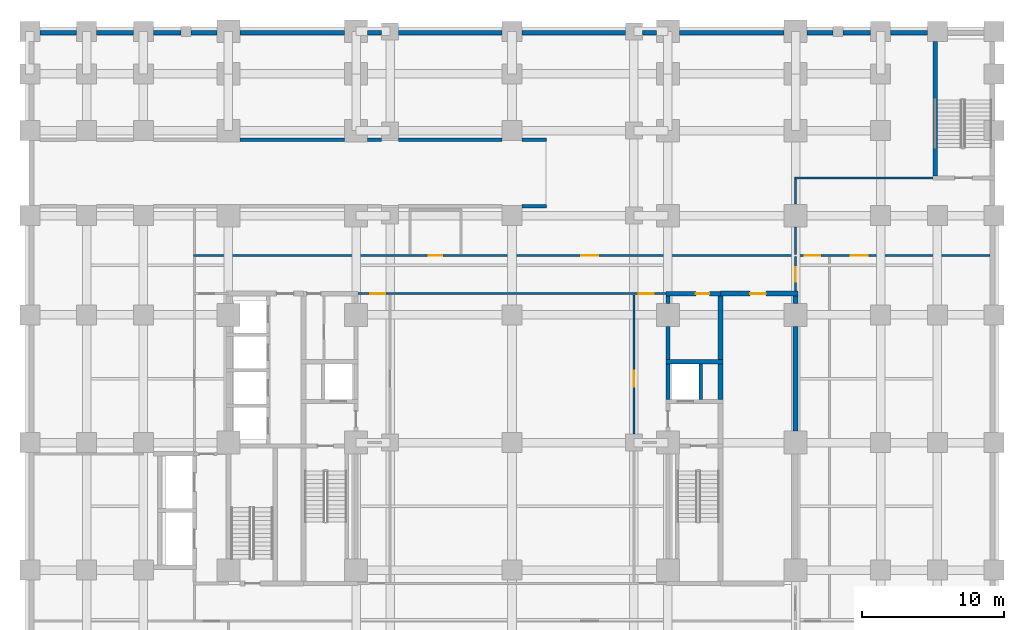
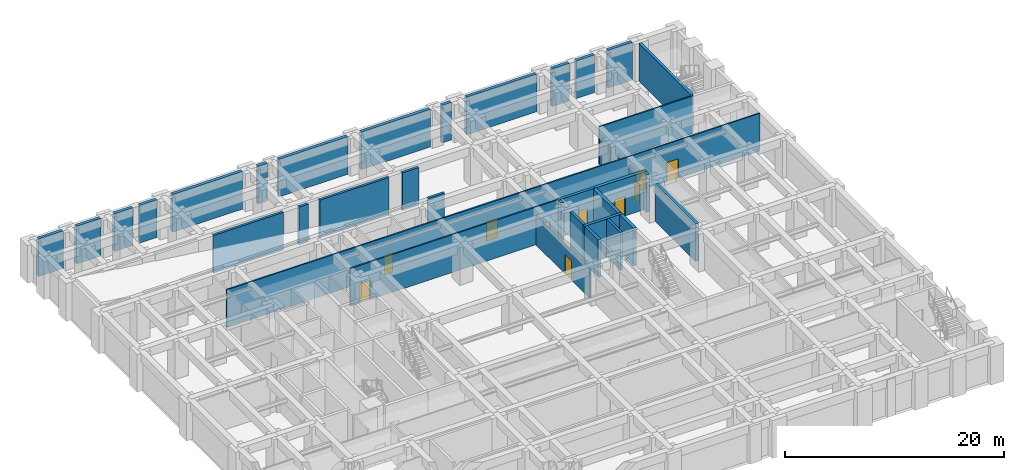
# One storey, part 7 of 14: 37 walls, 10 doors, 10 openings.
"""IFC4 building model written with IfcOpenShell, lengths in metres."""

from ifc_helpers import new_model, si_unit, direction, frame, frame_2d, origin, place, context, subcontext, project, spatial, rectangle, extrude, material, layer, layer_set, type_object, element, fill, save


model = new_model("IFC4")

# Units and contexts
model_context = context("Model", 3, precision=1e-05, world=origin(), true_north=direction((0.0, 1.0)))
body_context = subcontext(model_context, "Body", "Model", "MODEL_VIEW")
ifc_project = project(units=[si_unit("LENGTHUNIT", "METRE"), si_unit("AREAUNIT", "SQUARE_METRE"), si_unit("VOLUMEUNIT", "CUBIC_METRE"), si_unit("PLANEANGLEUNIT", "RADIAN"), si_unit("MASSUNIT", "GRAM", prefix="KILO")], contexts=[model_context])

# Site, building, storey
site_placement = place(None, origin())
site = spatial("IfcSite", under=ifc_project, at=site_placement, CompositionType="ELEMENT")
building_placement = place(site_placement, origin())
building = spatial("IfcBuilding", under=site, at=building_placement, Name="Zulmaris Gate Convention Tower", CompositionType="ELEMENT")
storey_placement = place(building_placement, frame((0.0, 0.0, -4.550048828125)))
storey = spatial("IfcBuildingStorey", under=building, at=storey_placement, Name="B1", CompositionType="ELEMENT", Elevation=-4.550048828125)

# Walls
ifc_material_1 = material(Name="Concrete C50/60", Category="concrete")
ifc_layer_1 = layer(ifc_material_1, 0.25, Name="Concrete C50/60")
ifc_layer_set_1 = layer_set([ifc_layer_1], Name="Concrete C50/60")
wall_type_1 = type_object("IfcWallType", Name="CORE-250", PredefinedType="SOLIDWALL", material=ifc_layer_set_1)
wall_1_placement = place(storey_placement, frame((0.7041015625, 16.64990234375, 0.0), z_axis=(0.0, 0.0, 1.0), x_axis=(1.0, 0.0, 0.0)))
element("IfcWall", 1, at=wall_1_placement, inside=storey, type_object=wall_type_1, Name="WL-B1-026S6", PredefinedType="SOLIDWALL", context=body_context, shape_type="SweptSolid", body=[
    extrude(rectangle(XDim=1.745849609375, YDim=0.25, at=frame_2d((0.873046875, 0.0))), origin(), (0.0, 0.0, 1.0), 4.199951171875),
])
wall_2_placement = place(storey_placement, frame((-19.196044921875, 21.35009765625, 0.0), z_axis=(0.0, 0.0, 1.0), x_axis=(1.0, 0.0, 0.0)))
element("IfcWall", 2, at=wall_2_placement, inside=storey, type_object=wall_type_1, Name="WL-B1-028S3", PredefinedType="SOLIDWALL", context=body_context, shape_type="SweptSolid", body=[
    extrude(rectangle(XDim=7.39208984375, YDim=0.25, at=frame_2d((3.696044921875, 0.0))), origin(), (0.0, 0.0, 1.0), 4.199951171875),
])
wall_3_placement = place(storey_placement, frame((-10.196044921875, 21.35009765625, 0.0), z_axis=(0.0, 0.0, 1.0), x_axis=(1.0, 0.0, 0.0)))
element("IfcWall", 3, at=wall_3_placement, inside=storey, type_object=wall_type_1, Name="WL-B1-028S4", PredefinedType="SOLIDWALL", context=body_context, shape_type="SweptSolid", body=[
    extrude(rectangle(XDim=0.991943359375, YDim=0.25, at=frame_2d((0.49609375, 0.0))), origin(), (0.0, 0.0, 1.0), 4.199951171875),
])
wall_4_placement = place(storey_placement, frame((-7.99609375, 21.35009765625, 0.0), z_axis=(0.0, 0.0, 1.0), x_axis=(1.0, 0.0, 0.0)))
element("IfcWall", 4, at=wall_4_placement, inside=storey, type_object=wall_type_1, Name="WL-B1-028S5", PredefinedType="SOLIDWALL", context=body_context, shape_type="SweptSolid", body=[
    extrude(rectangle(XDim=7.2919921875, YDim=0.25, at=frame_2d((3.64599609375, 0.0))), origin(), (0.0, 0.0, 1.0), 4.199951171875),
])
wall_5_placement = place(storey_placement, frame((0.7041015625, 21.35009765625, 0.0), z_axis=(0.0, 0.0, 1.0), x_axis=(1.0, 0.0, 0.0)))
element("IfcWall", 5, at=wall_5_placement, inside=storey, type_object=wall_type_1, Name="WL-B1-028S6", PredefinedType="SOLIDWALL", context=body_context, shape_type="SweptSolid", body=[
    extrude(rectangle(XDim=1.745849609375, YDim=0.25, at=frame_2d((0.873046875, 0.0))), origin(), (0.0, 0.0, 1.0), 4.199951171875),
])
wall_6_placement = place(storey_placement, frame((13.300048828125, 3.052001953125, 0.0), z_axis=(0.0, 0.0, 1.0), x_axis=(0.0, 1.0, 0.0)))
element("IfcWall", 6, at=wall_6_placement, inside=storey, type_object=wall_type_1, Name="WL-B1-079", PredefinedType="SOLIDWALL", context=body_context, shape_type="SweptSolid", body=[
    extrude(rectangle(XDim=2.49609375, YDim=0.25, at=frame_2d((1.248046875, 0.0))), origin(), (0.0, 0.0, 1.0), 4.199951171875),
])
ifc_layer_2 = layer(ifc_material_1, 0.300048828125, Name="Concrete C50/60")
ifc_layer_set_2 = layer_set([ifc_layer_2], Name="Concrete C50/60")
wall_type_2 = type_object("IfcWallType", Name="CORE-300", PredefinedType="SHEAR", material=ifc_layer_set_2)
wall_7_placement = place(storey_placement, frame((10.85009765625, 5.699951171875, 0.0), z_axis=(0.0, 0.0, 1.0), x_axis=(1.0, 0.0, 0.0)))
element("IfcWall", 7, at=wall_7_placement, inside=storey, type_object=wall_type_2, Name="WL-B1-020", PredefinedType="SHEAR", context=body_context, shape_type="SweptSolid", body=[
    extrude(rectangle(XDim=4.02490234375, YDim=0.300048828125, at=frame_2d((2.012451171875, 0.0))), origin(), (0.0, 0.0, 1.0), 4.199951171875),
])

# Wall, opening, door
wall_8_placement = place(storey_placement, frame((10.85009765625, 10.5, 0.0), z_axis=(0.0, 0.0, 1.0), x_axis=(1.0, 0.0, 0.0)))
wall_8 = element("IfcWall", 8, at=wall_8_placement, inside=storey, type_object=wall_type_2, Name="WL-B1-024", PredefinedType="SHEAR", context=body_context, shape_type="SweptSolid", body=[
    extrude(rectangle(XDim=3.849853515625, YDim=0.300048828125, at=frame_2d((1.9248046875, 0.0))), origin(), (0.0, 0.0, 1.0), 4.199951171875),
])
opening_1_placement = place(wall_8_placement, frame((2.125, 0.0, 0.0)))
opening_1 = element("IfcOpeningElement", 9, at=opening_1_placement, cuts=wall_8, Name="Opening D-11", PredefinedType="OPENING", context=body_context, shape_type="SweptSolid", body=[
    extrude(rectangle(XDim=0.949951171875, YDim=2.14990234375, at=frame_2d((0.47509765625, 1.074951171875))), frame((0.0, 0.16015625, 0.0), z_axis=(0.0, -1.0, 0.0), x_axis=(1.0, 0.0, 0.0)), (0.0, 0.0, 1.0), 0.320068359375),
])
ifc_material_2 = material(Name="Fire-Rated Timber", Category="wood")
door_type_1 = type_object("IfcDoorType", Name="DR-950-FD", OperationType="NOTDEFINED", PredefinedType="DOOR", material=ifc_material_2)
door_1_placement = place(opening_1_placement, origin())
door_1 = element("IfcDoor", 10, at=door_1_placement, inside=storey, type_object=door_type_1, Name="B1 Core Tea Pantry Door 09", OperationType="SINGLE_SWING_LEFT", OverallHeight=2.14990234375, OverallWidth=0.949951171875, PredefinedType="DOOR", context=body_context, shape_type="SweptSolid", body=[
    extrude(rectangle(XDim=0.949951171875, YDim=2.14990234375, at=frame_2d((0.47509765625, 1.074951171875))), frame((0.0, 0.02490234375, 0.0), z_axis=(0.0, -1.0, 0.0), x_axis=(1.0, 0.0, 0.0)), (0.0, 0.0, 1.0), 0.050048828125),
])
fill(opening_1, door_1)

# Walls
wall_9_placement = place(storey_placement, frame((11.0, 3.052001953125, 0.0), z_axis=(0.0, 0.0, 1.0), x_axis=(0.0, 1.0, 0.0)))
element("IfcWall", 11, at=wall_9_placement, inside=storey, type_object=wall_type_2, Name="WL-B1-076", PredefinedType="SHEAR", context=body_context, shape_type="SweptSolid", body=[
    extrude(rectangle(XDim=2.49609375, YDim=0.300048828125, at=frame_2d((1.248046875, 0.0))), origin(), (0.0, 0.0, 1.0), 4.199951171875),
])
wall_10_placement = place(storey_placement, frame((11.0, 5.85205078125, 0.0), z_axis=(0.0, 0.0, 1.0), x_axis=(0.0, 1.0, 0.0)))
element("IfcWall", 12, at=wall_10_placement, inside=storey, type_object=wall_type_2, Name="WL-B1-077", PredefinedType="SHEAR", context=body_context, shape_type="SweptSolid", body=[
    extrude(rectangle(XDim=2.343994140625, YDim=0.300048828125, at=frame_2d((1.171875, 0.0))), origin(), (0.0, 0.0, 1.0), 4.199951171875),
])
wall_11_placement = place(storey_placement, frame((11.0, 9.803955078125, 0.0), z_axis=(0.0, 0.0, 1.0), x_axis=(0.0, 1.0, 0.0)))
element("IfcWall", 13, at=wall_11_placement, inside=storey, type_object=wall_type_2, Name="WL-B1-077S1", PredefinedType="SHEAR", context=body_context, shape_type="SweptSolid", body=[
    extrude(rectangle(XDim=0.5439453125, YDim=0.300048828125, at=frame_2d((0.27197265625, 0.0))), origin(), (0.0, 0.0, 1.0), 4.199951171875),
])
wall_12_placement = place(storey_placement, frame((29.85009765625, 18.802001953125, 0.0), z_axis=(0.0, 0.0, 1.0), x_axis=(0.0, 1.0, 0.0)))
element("IfcWall", 14, at=wall_12_placement, inside=storey, type_object=wall_type_2, Name="WL-B1-086", PredefinedType="SHEAR", context=body_context, shape_type="SweptSolid", body=[
    extrude(rectangle(XDim=9.493896484375, YDim=0.300048828125, at=frame_2d((4.7470703125, 0.0))), origin(), (0.0, 0.0, 1.0), 4.199951171875),
])

# Wall, opening, door
ifc_material_3 = material(Name="Concrete C55/67", Category="concrete")
ifc_layer_3 = layer(ifc_material_3, 0.35009765625, Name="Concrete C55/67")
ifc_layer_set_3 = layer_set([ifc_layer_3], Name="Concrete C55/67")
wall_type_3 = type_object("IfcWallType", Name="CORE-350", PredefinedType="SHEAR", material=ifc_layer_set_3)
wall_13_placement = place(storey_placement, frame((14.699951171875, 10.5, 0.0), z_axis=(0.0, 0.0, 1.0), x_axis=(1.0, 0.0, 0.0)))
wall_13 = element("IfcWall", 15, at=wall_13_placement, inside=storey, type_object=wall_type_3, Name="WL-B1-025", PredefinedType="SHEAR", context=body_context, shape_type="SweptSolid", body=[
    extrude(rectangle(XDim=5.47509765625, YDim=0.35009765625, at=frame_2d((2.737548828125, 0.0))), origin(), (0.0, 0.0, 1.0), 4.199951171875),
])
opening_2_placement = place(wall_13_placement, frame((2.10009765625, 0.0, 0.0)))
opening_2 = element("IfcOpeningElement", 16, at=opening_2_placement, cuts=wall_13, Name="Opening D-08", PredefinedType="OPENING", context=body_context, shape_type="SweptSolid", body=[
    extrude(rectangle(XDim=1.10009765625, YDim=2.14990234375, at=frame_2d((0.550048828125, 1.074951171875))), frame((0.0, 0.18505859375, 0.0), z_axis=(0.0, -1.0, 0.0), x_axis=(1.0, 0.0, 0.0)), (0.0, 0.0, 1.0), 0.3701171875),
])
ifc_material_4 = material(Name="Fire-Rated Steel", Category="steel")
door_type_2 = type_object("IfcDoorType", Name="DR-1100-FD", OperationType="NOTDEFINED", PredefinedType="DOOR", material=ifc_material_4)
door_2_placement = place(opening_2_placement, origin())
door_2 = element("IfcDoor", 17, at=door_2_placement, inside=storey, type_object=door_type_2, Name="B1 East Plant Door 16", OperationType="SINGLE_SWING_RIGHT", OverallHeight=2.14990234375, OverallWidth=1.10009765625, PredefinedType="DOOR", context=body_context, shape_type="SweptSolid", body=[
    extrude(rectangle(XDim=1.10009765625, YDim=2.14990234375, at=frame_2d((0.550048828125, 1.074951171875))), frame((0.0, 0.02490234375, 0.0), z_axis=(0.0, -1.0, 0.0), x_axis=(1.0, 0.0, 0.0)), (0.0, 0.0, 1.0), 0.050048828125),
])
fill(opening_2, door_2)

# Walls
for number, where, z_axis, x_axis, name in (
    (18, (-33.2958984375, 28.89990234375, 0.0), (0.0, 0.0, 1.0), (1.0, 0.0, 0.0), "WL-B1-029"),
    (19, (-29.2958984375, 28.89990234375, 0.0), (0.0, 0.0, 1.0), (1.0, 0.0, 0.0), "WL-B1-029S1"),
):
    element("IfcWall", number, at=place(storey_placement, frame(where, z_axis=z_axis, x_axis=x_axis)), inside=storey, type_object=wall_type_3, Name=name, PredefinedType="SHEAR", context=body_context, shape_type="SweptSolid", body=[
        extrude(rectangle(XDim=2.591796875, YDim=0.35009765625, at=frame_2d((1.2958984375, 0.0))), origin(), (0.0, 0.0, 1.0), 4.199951171875),
    ])
wall_14_placement = place(storey_placement, frame((-25.2958984375, 28.89990234375, 0.0), z_axis=(0.0, 0.0, 1.0), x_axis=(1.0, 0.0, 0.0)))
element("IfcWall", 20, at=wall_14_placement, inside=storey, type_object=wall_type_3, Name="WL-B1-029S2", PredefinedType="SHEAR", context=body_context, shape_type="SweptSolid", body=[
    extrude(rectangle(XDim=1.94189453125, YDim=0.35009765625, at=frame_2d((0.970947265625, 0.0))), origin(), (0.0, 0.0, 1.0), 4.199951171875),
])
wall_15_placement = place(storey_placement, frame((-22.64599609375, 28.89990234375, 0.0), z_axis=(0.0, 0.0, 1.0), x_axis=(1.0, 0.0, 0.0)))
element("IfcWall", 21, at=wall_15_placement, inside=storey, type_object=wall_type_3, Name="WL-B1-029S3", PredefinedType="SHEAR", context=body_context, shape_type="SweptSolid", body=[
    extrude(rectangle(XDim=1.842041015625, YDim=0.35009765625, at=frame_2d((0.9208984375, 0.0))), origin(), (0.0, 0.0, 1.0), 4.199951171875),
])
wall_16_placement = place(storey_placement, frame((-19.196044921875, 28.89990234375, 0.0), z_axis=(0.0, 0.0, 1.0), x_axis=(1.0, 0.0, 0.0)))
element("IfcWall", 22, at=wall_16_placement, inside=storey, type_object=wall_type_3, Name="WL-B1-029S4", PredefinedType="SHEAR", context=body_context, shape_type="SweptSolid", body=[
    extrude(rectangle(XDim=7.39208984375, YDim=0.35009765625, at=frame_2d((3.696044921875, 0.0))), origin(), (0.0, 0.0, 1.0), 4.199951171875),
])
wall_17_placement = place(storey_placement, frame((-10.196044921875, 28.89990234375, 0.0), z_axis=(0.0, 0.0, 1.0), x_axis=(1.0, 0.0, 0.0)))
element("IfcWall", 23, at=wall_17_placement, inside=storey, type_object=wall_type_3, Name="WL-B1-029S5", PredefinedType="SHEAR", context=body_context, shape_type="SweptSolid", body=[
    extrude(rectangle(XDim=0.991943359375, YDim=0.35009765625, at=frame_2d((0.49609375, 0.0))), origin(), (0.0, 0.0, 1.0), 4.199951171875),
])
for number, where, z_axis, x_axis, name in (
    (24, (-7.99609375, 28.89990234375, 0.0), (0.0, 0.0, 1.0), (1.0, 0.0, 0.0), "WL-B1-029S6"),
    (25, (0.7041015625, 28.89990234375, 0.0), (0.0, 0.0, 1.0), (1.0, 0.0, 0.0), "WL-B1-029S7"),
):
    element("IfcWall", number, at=place(storey_placement, frame(where, z_axis=z_axis, x_axis=x_axis)), inside=storey, type_object=wall_type_3, Name=name, PredefinedType="SHEAR", context=body_context, shape_type="SweptSolid", body=[
        extrude(rectangle(XDim=7.2919921875, YDim=0.35009765625, at=frame_2d((3.64599609375, 0.0))), origin(), (0.0, 0.0, 1.0), 4.199951171875),
    ])
wall_18_placement = place(storey_placement, frame((9.2041015625, 28.89990234375, 0.0), z_axis=(0.0, 0.0, 1.0), x_axis=(1.0, 0.0, 0.0)))
element("IfcWall", 26, at=wall_18_placement, inside=storey, type_object=wall_type_3, Name="WL-B1-029S8", PredefinedType="SHEAR", context=body_context, shape_type="SweptSolid", body=[
    extrude(rectangle(XDim=0.991943359375, YDim=0.35009765625, at=frame_2d((0.49609375, 0.0))), origin(), (0.0, 0.0, 1.0), 4.199951171875),
])
wall_19_placement = place(storey_placement, frame((11.803955078125, 28.89990234375, 0.0), z_axis=(0.0, 0.0, 1.0), x_axis=(1.0, 0.0, 0.0)))
element("IfcWall", 27, at=wall_19_placement, inside=storey, type_object=wall_type_3, Name="WL-B1-029S9", PredefinedType="SHEAR", context=body_context, shape_type="SweptSolid", body=[
    extrude(rectangle(XDim=7.39208984375, YDim=0.35009765625, at=frame_2d((3.696044921875, 0.0))), origin(), (0.0, 0.0, 1.0), 4.199951171875),
])
wall_20_placement = place(storey_placement, frame((20.803955078125, 28.89990234375, 0.0), z_axis=(0.0, 0.0, 1.0), x_axis=(1.0, 0.0, 0.0)))
element("IfcWall", 28, at=wall_20_placement, inside=storey, type_object=wall_type_3, Name="WL-B1-029S10", PredefinedType="SHEAR", context=body_context, shape_type="SweptSolid", body=[
    extrude(rectangle(XDim=1.842041015625, YDim=0.35009765625, at=frame_2d((0.9208984375, 0.0))), origin(), (0.0, 0.0, 1.0), 4.199951171875),
])
wall_21_placement = place(storey_placement, frame((23.35400390625, 28.89990234375, 0.0), z_axis=(0.0, 0.0, 1.0), x_axis=(1.0, 0.0, 0.0)))
element("IfcWall", 29, at=wall_21_placement, inside=storey, type_object=wall_type_3, Name="WL-B1-029S11", PredefinedType="SHEAR", context=body_context, shape_type="SweptSolid", body=[
    extrude(rectangle(XDim=1.94189453125, YDim=0.35009765625, at=frame_2d((0.970947265625, 0.0))), origin(), (0.0, 0.0, 1.0), 4.199951171875),
])
wall_22_placement = place(storey_placement, frame((26.7041015625, 28.89990234375, 0.0), z_axis=(0.0, 0.0, 1.0), x_axis=(1.0, 0.0, 0.0)))
element("IfcWall", 30, at=wall_22_placement, inside=storey, type_object=wall_type_3, Name="WL-B1-029S12", PredefinedType="SHEAR", context=body_context, shape_type="SweptSolid", body=[
    extrude(rectangle(XDim=2.591796875, YDim=0.35009765625, at=frame_2d((1.2958984375, 0.0))), origin(), (0.0, 0.0, 1.0), 4.199951171875),
])
wall_23_placement = place(storey_placement, frame((14.699951171875, 3.052001953125, 0.0), z_axis=(0.0, 0.0, 1.0), x_axis=(0.0, 1.0, 0.0)))
element("IfcWall", 31, at=wall_23_placement, inside=storey, type_object=wall_type_3, Name="WL-B1-082", PredefinedType="SHEAR", context=body_context, shape_type="SweptSolid", body=[
    extrude(rectangle(XDim=2.49609375, YDim=0.35009765625, at=frame_2d((1.248046875, 0.0))), origin(), (0.0, 0.0, 1.0), 4.199951171875),
])
wall_24_placement = place(storey_placement, frame((14.699951171875, 5.85205078125, 0.0), z_axis=(0.0, 0.0, 1.0), x_axis=(0.0, 1.0, 0.0)))
element("IfcWall", 32, at=wall_24_placement, inside=storey, type_object=wall_type_3, Name="WL-B1-083", PredefinedType="SHEAR", context=body_context, shape_type="SweptSolid", body=[
    extrude(rectangle(XDim=4.470947265625, YDim=0.35009765625, at=frame_2d((2.2353515625, 0.0))), origin(), (0.0, 0.0, 1.0), 4.199951171875),
])
wall_25_placement = place(storey_placement, frame((20.0, 0.803955078125, 0.0), z_axis=(0.0, 0.0, 1.0), x_axis=(0.0, 1.0, 0.0)))
element("IfcWall", 33, at=wall_25_placement, inside=storey, type_object=wall_type_3, Name="WL-B1-084S1", PredefinedType="SHEAR", context=body_context, shape_type="SweptSolid", body=[
    extrude(rectangle(XDim=7.39208984375, YDim=0.35009765625, at=frame_2d((3.696044921875, 0.0))), origin(), (0.0, 0.0, 1.0), 4.199951171875),
])
wall_26_placement = place(storey_placement, frame((20.0, 9.803955078125, 0.0), z_axis=(0.0, 0.0, 1.0), x_axis=(0.0, 1.0, 0.0)))
element("IfcWall", 34, at=wall_26_placement, inside=storey, type_object=wall_type_3, Name="WL-B1-084S2", PredefinedType="SHEAR", context=body_context, shape_type="SweptSolid", body=[
    extrude(rectangle(XDim=0.51904296875, YDim=0.35009765625, at=frame_2d((0.259521484375, 0.0))), origin(), (0.0, 0.0, 1.0), 4.199951171875),
])

# Wall, openings, doors
ifc_material_5 = material(Name="Gypsum Metal Stud Partition")
ifc_layer_4 = layer(ifc_material_5, 0.14990234375, Name="Gypsum Metal Stud Partition")
ifc_layer_set_4 = layer_set([ifc_layer_4], Name="Gypsum Metal Stud Partition")
wall_type_4 = type_object("IfcWallType", Name="PART-150", PredefinedType="PARTITIONING", material=ifc_layer_set_4)
wall_27_placement = place(storey_placement, frame((-11.0, 10.5, 0.0), z_axis=(0.0, 0.0, 1.0), x_axis=(1.0, 0.0, 0.0)))
wall_27 = element("IfcWall", 35, at=wall_27_placement, inside=storey, type_object=wall_type_4, Name="WL-B1-040", PredefinedType="PARTITIONING", context=body_context, shape_type="SweptSolid", body=[
    extrude(rectangle(XDim=22.0, YDim=0.14990234375, at=frame_2d((11.0, 0.0))), origin(), (0.0, 0.0, 1.0), 4.199951171875),
])
opening_3_placement = place(wall_27_placement, frame((0.9951171875, 0.0, 0.0)))
opening_3 = element("IfcOpeningElement", 36, at=opening_3_placement, cuts=wall_27, Name="Opening D-09", PredefinedType="OPENING", context=body_context, shape_type="SweptSolid", body=[
    extrude(rectangle(XDim=1.050048828125, YDim=2.14990234375, at=frame_2d((0.52490234375, 1.074951171875))), frame((0.0, 0.0849609375, 0.0), z_axis=(0.0, -1.0, 0.0), x_axis=(1.0, 0.0, 0.0)), (0.0, 0.0, 1.0), 0.169921875),
])
opening_4_placement = place(wall_27_placement, frame((19.955078125, 0.0, 0.0)))
opening_4 = element("IfcOpeningElement", 37, at=opening_4_placement, cuts=wall_27, Name="Opening D-09", PredefinedType="OPENING", context=body_context, shape_type="SweptSolid", body=[
    extrude(rectangle(XDim=1.050048828125, YDim=2.14990234375, at=frame_2d((0.52490234375, 1.074951171875))), frame((0.0, 0.0849609375, 0.0), z_axis=(0.0, -1.0, 0.0), x_axis=(1.0, 0.0, 0.0)), (0.0, 0.0, 1.0), 0.169921875),
])
door_type_3 = type_object("IfcDoorType", Name="DR-1050-FD", OperationType="NOTDEFINED", PredefinedType="DOOR", material=ifc_material_4)
door_3_placement = place(opening_3_placement, origin())
door_3 = element("IfcDoor", 38, at=door_3_placement, inside=storey, type_object=door_type_3, Name="B1 Inner West North Link Door 23", OperationType="SINGLE_SWING_LEFT", OverallHeight=2.14990234375, OverallWidth=1.050048828125, PredefinedType="DOOR", context=body_context, shape_type="SweptSolid", body=[
    extrude(rectangle(XDim=1.050048828125, YDim=2.14990234375, at=frame_2d((0.52490234375, 1.074951171875))), frame((0.0, 0.02490234375, 0.0), z_axis=(0.0, -1.0, 0.0), x_axis=(1.0, 0.0, 0.0)), (0.0, 0.0, 1.0), 0.050048828125),
])
fill(opening_3, door_3)
door_4_placement = place(opening_4_placement, origin())
door_4 = element("IfcDoor", 39, at=door_4_placement, inside=storey, type_object=door_type_3, Name="B1 Inner East North Link Door 25", OperationType="SINGLE_SWING_LEFT", OverallHeight=2.14990234375, OverallWidth=1.050048828125, PredefinedType="DOOR", context=body_context, shape_type="SweptSolid", body=[
    extrude(rectangle(XDim=1.050048828125, YDim=2.14990234375, at=frame_2d((0.52490234375, 1.074951171875))), frame((0.0, 0.02490234375, 0.0), z_axis=(0.0, -1.0, 0.0), x_axis=(1.0, 0.0, 0.0)), (0.0, 0.0, 1.0), 0.050048828125),
])
fill(opening_4, door_4)

wall_28_placement = place(storey_placement, frame((-22.47509765625, 13.199951171875, 0.0), z_axis=(0.0, 0.0, 1.0), x_axis=(1.0, 0.0, 0.0)))
wall_28 = element("IfcWall", 40, at=wall_28_placement, inside=storey, type_object=wall_type_4, Name="WL-B1-041", PredefinedType="PARTITIONING", context=body_context, shape_type="SweptSolid", body=[
    extrude(rectangle(XDim=56.197021484375, YDim=0.14990234375, at=frame_2d((28.0986328125, 0.0))), origin(), (0.0, 0.0, 1.0), 4.199951171875),
])
opening_5_placement = place(wall_28_placement, frame((43.125, 0.0, 0.0)))
opening_5 = element("IfcOpeningElement", 41, at=opening_5_placement, cuts=wall_28, Name="Opening D-08", PredefinedType="OPENING", context=body_context, shape_type="SweptSolid", body=[
    extrude(rectangle(XDim=1.10009765625, YDim=2.14990234375, at=frame_2d((0.550048828125, 1.074951171875))), frame((0.0, 0.0849609375, 0.0), z_axis=(0.0, -1.0, 0.0), x_axis=(1.0, 0.0, 0.0)), (0.0, 0.0, 1.0), 0.169921875),
])
opening_6_placement = place(wall_28_placement, frame((27.375, 0.0, 0.0)))
opening_6 = element("IfcOpeningElement", 42, at=opening_6_placement, cuts=wall_28, Name="Opening D-13", PredefinedType="OPENING", context=body_context, shape_type="SweptSolid", body=[
    extrude(rectangle(XDim=1.199951171875, YDim=2.14990234375, at=frame_2d((0.60009765625, 1.074951171875))), frame((0.0, 0.0849609375, 0.0), z_axis=(0.0, -1.0, 0.0), x_axis=(1.0, 0.0, 0.0)), (0.0, 0.0, 1.0), 0.169921875),
])
opening_7_placement = place(wall_28_placement, frame((46.375, 0.0, 0.0)))
opening_7 = element("IfcOpeningElement", 43, at=opening_7_placement, cuts=wall_28, Name="Opening D-13", PredefinedType="OPENING", context=body_context, shape_type="SweptSolid", body=[
    extrude(rectangle(XDim=1.199951171875, YDim=2.14990234375, at=frame_2d((0.60009765625, 1.074951171875))), frame((0.0, 0.0849609375, 0.0), z_axis=(0.0, -1.0, 0.0), x_axis=(1.0, 0.0, 0.0)), (0.0, 0.0, 1.0), 0.169921875),
])
opening_8_placement = place(wall_28_placement, frame((16.60009765625, 0.0, 0.0)))
opening_8 = element("IfcOpeningElement", 44, at=opening_8_placement, cuts=wall_28, Name="Opening D-11", PredefinedType="OPENING", context=body_context, shape_type="SweptSolid", body=[
    extrude(rectangle(XDim=0.949951171875, YDim=2.14990234375, at=frame_2d((0.47509765625, 1.074951171875))), frame((0.0, 0.0849609375, 0.0), z_axis=(0.0, -1.0, 0.0), x_axis=(1.0, 0.0, 0.0)), (0.0, 0.0, 1.0), 0.169921875),
])
door_5_placement = place(opening_5_placement, origin())
door_5 = element("IfcDoor", 45, at=door_5_placement, inside=storey, type_object=door_type_2, Name="B1 NE Stair Corridor Link Door 31", OperationType="SINGLE_SWING_LEFT", OverallHeight=2.14990234375, OverallWidth=1.10009765625, PredefinedType="DOOR", context=body_context, shape_type="SweptSolid", body=[
    extrude(rectangle(XDim=1.10009765625, YDim=2.14990234375, at=frame_2d((0.550048828125, 1.074951171875))), frame((0.0, 0.02490234375, 0.0), z_axis=(0.0, -1.0, 0.0), x_axis=(1.0, 0.0, 0.0)), (0.0, 0.0, 1.0), 0.050048828125),
])
fill(opening_5, door_5)
door_type_4 = type_object("IfcDoorType", Name="DR-1200-FD", OperationType="NOTDEFINED", PredefinedType="DOOR", material=ifc_material_4)
door_6_placement = place(opening_6_placement, origin())
door_6 = element("IfcDoor", 46, at=door_6_placement, inside=storey, type_object=door_type_4, Name="B1 Car Park North Corridor Door 35", OperationType="SINGLE_SWING_LEFT", OverallHeight=2.14990234375, OverallWidth=1.199951171875, PredefinedType="DOOR", context=body_context, shape_type="SweptSolid", body=[
    extrude(rectangle(XDim=1.199951171875, YDim=2.14990234375, at=frame_2d((0.60009765625, 1.074951171875))), frame((0.0, 0.02490234375, 0.0), z_axis=(0.0, -1.0, 0.0), x_axis=(1.0, 0.0, 0.0)), (0.0, 0.0, 1.0), 0.050048828125),
])
fill(opening_6, door_6)
door_7_placement = place(opening_7_placement, origin())
door_7 = element("IfcDoor", 47, at=door_7_placement, inside=storey, type_object=door_type_4, Name="B1 East Parking Door 38", OperationType="SINGLE_SWING_RIGHT", OverallHeight=2.14990234375, OverallWidth=1.199951171875, PredefinedType="DOOR", context=body_context, shape_type="SweptSolid", body=[
    extrude(rectangle(XDim=1.199951171875, YDim=2.14990234375, at=frame_2d((0.60009765625, 1.074951171875))), frame((0.0, 0.02490234375, 0.0), z_axis=(0.0, -1.0, 0.0), x_axis=(1.0, 0.0, 0.0)), (0.0, 0.0, 1.0), 0.050048828125),
])
fill(opening_7, door_7)
door_8_placement = place(opening_8_placement, origin())
door_8 = element("IfcDoor", 48, at=door_8_placement, inside=storey, type_object=door_type_1, Name="B1 B1 Accessible WC Door 39", OperationType="SINGLE_SWING_LEFT", OverallHeight=2.14990234375, OverallWidth=0.949951171875, PredefinedType="DOOR", context=body_context, shape_type="SweptSolid", body=[
    extrude(rectangle(XDim=0.949951171875, YDim=2.14990234375, at=frame_2d((0.47509765625, 1.074951171875))), frame((0.0, 0.02490234375, 0.0), z_axis=(0.0, -1.0, 0.0), x_axis=(1.0, 0.0, 0.0)), (0.0, 0.0, 1.0), 0.050048828125),
])
fill(opening_8, door_8)

# Wall
wall_29_placement = place(storey_placement, frame((19.925048828125, 18.64990234375, 0.0), z_axis=(0.0, 0.0, 1.0), x_axis=(1.0, 0.0, 0.0)))
element("IfcWall", 49, at=wall_29_placement, inside=storey, type_object=wall_type_4, Name="WL-B1-043", PredefinedType="PARTITIONING", context=body_context, shape_type="SweptSolid", body=[
    extrude(rectangle(XDim=9.925048828125, YDim=0.14990234375, at=frame_2d((4.96240234375, 0.0))), origin(), (0.0, 0.0, 1.0), 4.199951171875),
])

# Wall, opening, door
wall_30_placement = place(storey_placement, frame((8.60009765625, 0.60595703125, 0.0), z_axis=(0.0, 0.0, 1.0), x_axis=(0.0, 1.0, 0.0)))
wall_30 = element("IfcWall", 50, at=wall_30_placement, inside=storey, type_object=wall_type_4, Name="WL-B1-103", PredefinedType="PARTITIONING", context=body_context, shape_type="SweptSolid", body=[
    extrude(rectangle(XDim=9.816162109375, YDim=0.14990234375, at=frame_2d((4.908203125, 0.0))), origin(), (0.0, 0.0, 1.0), 3.241943359375),
])
opening_9_placement = place(wall_30_placement, frame((3.343994140625, 0.0, 0.0)))
opening_9 = element("IfcOpeningElement", 51, at=opening_9_placement, cuts=wall_30, Name="Opening D-08", PredefinedType="OPENING", context=body_context, shape_type="SweptSolid", body=[
    extrude(rectangle(XDim=1.10009765625, YDim=2.14990234375, at=frame_2d((0.550048828125, 1.074951171875))), frame((0.0, 0.0849609375, 0.0), z_axis=(0.0, -1.0, 0.0), x_axis=(1.0, 0.0, 0.0)), (0.0, 0.0, 1.0), 0.169921875),
])
door_9_placement = place(opening_9_placement, origin())
door_9 = element("IfcDoor", 52, at=door_9_placement, inside=storey, type_object=door_type_2, Name="B1 Central Car Park East Door 34", OperationType="SINGLE_SWING_RIGHT", OverallHeight=2.14990234375, OverallWidth=1.10009765625, PredefinedType="DOOR", context=body_context, shape_type="SweptSolid", body=[
    extrude(rectangle(XDim=1.10009765625, YDim=2.14990234375, at=frame_2d((0.550048828125, 1.074951171875))), frame((0.0, 0.02490234375, 0.0), z_axis=(0.0, -1.0, 0.0), x_axis=(1.0, 0.0, 0.0)), (0.0, 0.0, 1.0), 0.050048828125),
])
fill(opening_9, door_9)

wall_31_placement = place(storey_placement, frame((20.0, 10.677978515625, 0.0), z_axis=(0.0, 0.0, 1.0), x_axis=(0.0, 1.0, 0.0)))
wall_31 = element("IfcWall", 53, at=wall_31_placement, inside=storey, type_object=wall_type_4, Name="WL-B1-107", PredefinedType="PARTITIONING", context=body_context, shape_type="SweptSolid", body=[
    extrude(rectangle(XDim=2.444091796875, YDim=0.14990234375, at=frame_2d((1.22216796875, 0.0))), origin(), (0.0, 0.0, 1.0), 3.241943359375),
])
opening_10_placement = place(wall_31_placement, frame((0.64697265625, 0.0, 0.0)))
opening_10 = element("IfcOpeningElement", 54, at=opening_10_placement, cuts=wall_31, Name="Opening D-09", PredefinedType="OPENING", context=body_context, shape_type="SweptSolid", body=[
    extrude(rectangle(XDim=1.050048828125, YDim=2.14990234375, at=frame_2d((0.52490234375, 1.074951171875))), frame((0.0, 0.0849609375, 0.0), z_axis=(0.0, -1.0, 0.0), x_axis=(1.0, 0.0, 0.0)), (0.0, 0.0, 1.0), 0.169921875),
])
door_10_placement = place(opening_10_placement, origin())
door_10 = element("IfcDoor", 55, at=door_10_placement, inside=storey, type_object=door_type_3, Name="B1 East Passage North Core Door 29", OperationType="SINGLE_SWING_LEFT", OverallHeight=2.14990234375, OverallWidth=1.050048828125, PredefinedType="DOOR", context=body_context, shape_type="SweptSolid", body=[
    extrude(rectangle(XDim=1.050048828125, YDim=2.14990234375, at=frame_2d((0.52490234375, 1.074951171875))), frame((0.0, 0.02490234375, 0.0), z_axis=(0.0, -1.0, 0.0), x_axis=(1.0, 0.0, 0.0)), (0.0, 0.0, 1.0), 0.050048828125),
])
fill(opening_10, door_10)

# Walls
wall_32_placement = place(storey_placement, frame((20.0, 13.278076171875, 0.0), z_axis=(0.0, 0.0, 1.0), x_axis=(0.0, 1.0, 0.0)))
element("IfcWall", 56, at=wall_32_placement, inside=storey, type_object=wall_type_4, Name="WL-B1-108", PredefinedType="PARTITIONING", context=body_context, shape_type="SweptSolid", body=[
    extrude(rectangle(XDim=1.916015625, YDim=0.14990234375, at=frame_2d((0.9580078125, 0.0))), origin(), (0.0, 0.0, 1.0), 3.241943359375),
])
wall_33_placement = place(storey_placement, frame((20.0, 16.805908203125, 0.0), z_axis=(0.0, 0.0, 1.0), x_axis=(0.0, 1.0, 0.0)))
element("IfcWall", 57, at=wall_33_placement, inside=storey, type_object=wall_type_4, Name="WL-B1-108S1", PredefinedType="PARTITIONING", context=body_context, shape_type="SweptSolid", body=[
    extrude(rectangle(XDim=1.76611328125, YDim=0.14990234375, at=frame_2d((0.883056640625, 0.0))), origin(), (0.0, 0.0, 1.0), 3.241943359375),
])

save(model, "model.ifc")
